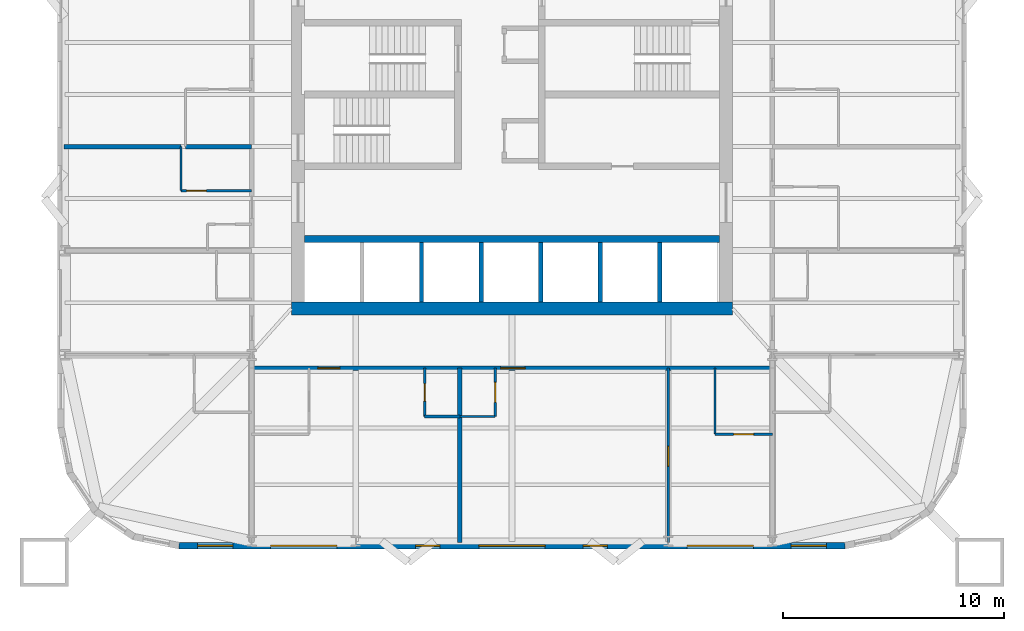
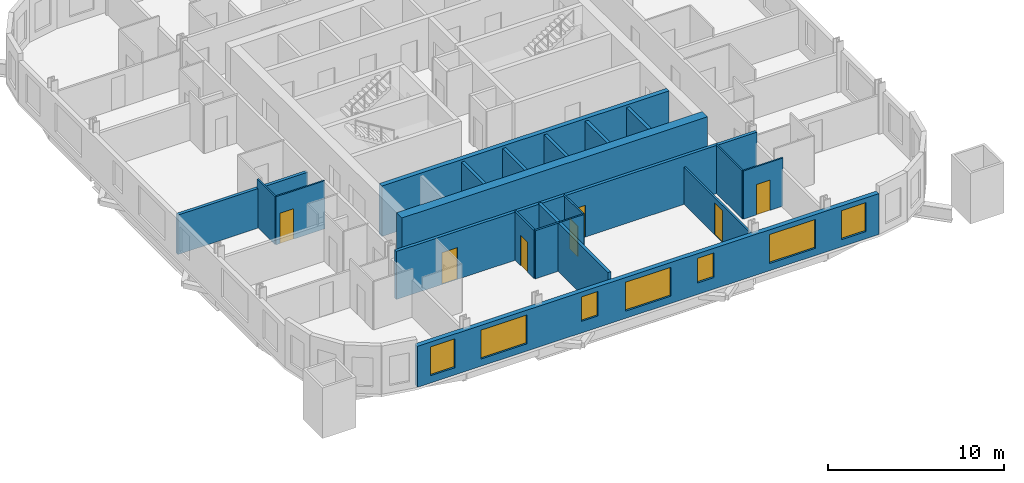
# One storey, part 3 of 9: 21 walls, 7 doors, 7 windows, 14 openings.
"""IFC4 building model written with IfcOpenShell, lengths in metres."""

from ifc_helpers import new_model, si_unit, direction, frame, frame_2d, origin, place, context, subcontext, project, spatial, rectangle, extrude, material, layer, layer_set, type_object, element, fill, save


model = new_model("IFC4")

# Units and contexts
model_context = context("Model", 3, precision=1e-05, world=origin(), true_north=direction((0.0, 1.0)))
body_context = subcontext(model_context, "Body", "Model", "MODEL_VIEW")
ifc_project = project(units=[si_unit("LENGTHUNIT", "METRE"), si_unit("AREAUNIT", "SQUARE_METRE"), si_unit("VOLUMEUNIT", "CUBIC_METRE"), si_unit("PLANEANGLEUNIT", "RADIAN"), si_unit("MASSUNIT", "GRAM", prefix="KILO")], contexts=[model_context])

# Site, building, storey
site_placement = place(None, origin())
site = spatial("IfcSite", under=ifc_project, at=site_placement, CompositionType="ELEMENT")
building_placement = place(site_placement, origin())
building = spatial("IfcBuilding", under=site, at=building_placement, Name="Turquesa Mirador Hotel Tower", CompositionType="ELEMENT")
storey_placement = place(building_placement, frame((0.0, 0.0, 131.89990234375)))
storey = spatial("IfcBuildingStorey", under=building, at=storey_placement, Name="L35", CompositionType="ELEMENT", Elevation=131.89990234375)

# Wall
ifc_material_1 = material(Name="Gypsum board on steel studs", Category="steel")
ifc_layer_1 = layer(ifc_material_1, 0.10009765625)
ifc_layer_set_1 = layer_set([ifc_layer_1], Name="BATHROOM WALL 100")
wall_type_1 = type_object("IfcWallType", Name="BATHROOM WALL 100", PredefinedType="PARTITIONING", material=ifc_layer_set_1)
wall_1_placement = place(storey_placement, frame((52.639892578125, 30.39990234375, 0.0), z_axis=(0.0, 0.0, 1.0), x_axis=(1.0, 0.0, 0.0)))
element("IfcWall", 1, at=wall_1_placement, inside=storey, type_object=wall_type_1, Name="Partition L35 008", PredefinedType="PARTITIONING", context=body_context, shape_type="SweptSolid", body=[
    extrude(rectangle(XDim=1.60009765625, YDim=0.10009765625, at=frame_2d((0.800048828125, 0.0))), origin(), (0.0, 0.0, 1.0), 3.330078125),
])

# Wall, opening, door
wall_2_placement = place(storey_placement, frame((64.199951171875, 29.60009765625, 0.0), z_axis=(0.0, 0.0, 1.0), x_axis=(1.0, 0.0, 0.0)))
wall_2 = element("IfcWall", 2, at=wall_2_placement, inside=storey, type_object=wall_type_1, Name="Partition L35 011", PredefinedType="PARTITIONING", context=body_context, shape_type="SweptSolid", body=[
    extrude(rectangle(XDim=2.60009765625, YDim=0.10009765625, at=frame_2d((1.300048828125, 0.0))), origin(), (0.0, 0.0, 1.0), 3.330078125),
])
opening_1_placement = place(wall_2_placement, frame((0.85009765625, 0.0, 0.0)))
opening_1 = element("IfcOpeningElement", 3, at=opening_1_placement, cuts=wall_2, Name="Opening D02", PredefinedType="OPENING", context=body_context, shape_type="SweptSolid", body=[
    extrude(rectangle(XDim=0.89990234375, YDim=2.10009765625, at=frame_2d((0.449951171875, 1.050048828125))), frame((0.0, 0.06005859375, 0.0), z_axis=(0.0, -1.0, 0.0), x_axis=(1.0, 0.0, 0.0)), (0.0, 0.0, 1.0), 0.1201171875),
])
ifc_material_2 = material(Name="Timber veneered door", Category="wood")
door_type_1 = type_object("IfcDoorType", Name="DOOR 900X2100 EN-SUITE", OperationType="SINGLE_SWING_RIGHT", PredefinedType="DOOR", material=ifc_material_2)
door_1_placement = place(opening_1_placement, origin())
door_1 = element("IfcDoor", 4, at=door_1_placement, inside=storey, type_object=door_type_1, Name="Door 3506B", OperationType="SINGLE_SWING_RIGHT", OverallHeight=2.10009765625, OverallWidth=0.89990234375, PredefinedType="DOOR", context=body_context, shape_type="SweptSolid", body=[
    extrude(rectangle(XDim=0.89990234375, YDim=2.10009765625, at=frame_2d((0.449951171875, 1.050048828125))), frame((0.0, 0.02490234375, 0.0), z_axis=(0.0, -1.0, 0.0), x_axis=(1.0, 0.0, 0.0)), (0.0, 0.0, 1.0), 0.050048828125),
])
fill(opening_1, door_1)

wall_3_placement = place(storey_placement, frame((40.0, 40.639892578125, 0.0), z_axis=(0.0, 0.0, 1.0), x_axis=(1.0, 0.0, 0.0)))
wall_3 = element("IfcWall", 5, at=wall_3_placement, inside=storey, type_object=wall_type_1, Name="Partition L35 016", PredefinedType="PARTITIONING", context=body_context, shape_type="SweptSolid", body=[
    extrude(rectangle(XDim=3.199951171875, YDim=0.10009765625, at=frame_2d((1.60009765625, 0.0))), origin(), (0.0, 0.0, 1.0), 3.330078125),
])
opening_2_placement = place(wall_3_placement, frame((0.25, 0.0, 0.0)))
opening_2 = element("IfcOpeningElement", 6, at=opening_2_placement, cuts=wall_3, Name="Opening D02", PredefinedType="OPENING", context=body_context, shape_type="SweptSolid", body=[
    extrude(rectangle(XDim=0.89990234375, YDim=2.10009765625, at=frame_2d((0.449951171875, 1.050048828125))), frame((0.0, 0.06005859375, 0.0), z_axis=(0.0, -1.0, 0.0), x_axis=(1.0, 0.0, 0.0)), (0.0, 0.0, 1.0), 0.1201171875),
])
door_2_placement = place(opening_2_placement, origin())
door_2 = element("IfcDoor", 7, at=door_2_placement, inside=storey, type_object=door_type_1, Name="Door 3509B", OperationType="SINGLE_SWING_RIGHT", OverallHeight=2.10009765625, OverallWidth=0.89990234375, PredefinedType="DOOR", context=body_context, shape_type="SweptSolid", body=[
    extrude(rectangle(XDim=0.89990234375, YDim=2.10009765625, at=frame_2d((0.449951171875, 1.050048828125))), frame((0.0, 0.02490234375, 0.0), z_axis=(0.0, -1.0, 0.0), x_axis=(1.0, 0.0, 0.0)), (0.0, 0.0, 1.0), 0.050048828125),
])
fill(opening_2, door_2)

wall_4_placement = place(storey_placement, frame((54.239990234375, 30.39990234375, 0.0), z_axis=(0.0, 0.0, 1.0), x_axis=(0.0, 1.0, 0.0)))
wall_4 = element("IfcWall", 8, at=wall_4_placement, inside=storey, type_object=wall_type_1, Name="Partition L35 043", PredefinedType="PARTITIONING", context=body_context, shape_type="SweptSolid", body=[
    extrude(rectangle(XDim=2.2001953125, YDim=0.10009765625, at=frame_2d((1.10009765625, 0.0))), origin(), (0.0, 0.0, 1.0), 3.330078125),
])
opening_3_placement = place(wall_4_placement, frame((0.64990234375, 0.0, 0.0)))
opening_3 = element("IfcOpeningElement", 9, at=opening_3_placement, cuts=wall_4, Name="Opening D06", PredefinedType="OPENING", context=body_context, shape_type="SweptSolid", body=[
    extrude(rectangle(XDim=0.89990234375, YDim=2.10009765625, at=frame_2d((0.449951171875, 1.050048828125))), frame((0.0, 0.06005859375, 0.0), z_axis=(0.0, -1.0, 0.0), x_axis=(1.0, 0.0, 0.0)), (0.0, 0.0, 1.0), 0.1201171875),
])
ifc_material_3 = material(Name="Laminate door", Category="wood")
door_type_2 = type_object("IfcDoorType", Name="DOOR 900X2100 WC", OperationType="SINGLE_SWING_LEFT", PredefinedType="DOOR", material=ifc_material_3)
door_3_placement = place(opening_3_placement, origin())
door_3 = element("IfcDoor", 10, at=door_3_placement, inside=storey, type_object=door_type_2, Name="Door 3506W", OperationType="SINGLE_SWING_LEFT", OverallHeight=2.10009765625, OverallWidth=0.89990234375, PredefinedType="DOOR", context=body_context, shape_type="SweptSolid", body=[
    extrude(rectangle(XDim=0.89990234375, YDim=2.10009765625, at=frame_2d((0.449951171875, 1.050048828125))), frame((0.0, 0.02490234375, 0.0), z_axis=(0.0, -1.0, 0.0), x_axis=(1.0, 0.0, 0.0)), (0.0, 0.0, 1.0), 0.050048828125),
])
fill(opening_3, door_3)

# Walls
wall_5_placement = place(storey_placement, frame((40.0, 40.639892578125, 0.0), z_axis=(0.0, 0.0, 1.0), x_axis=(0.0, 1.0, 0.0)))
element("IfcWall", 11, at=wall_5_placement, inside=storey, type_object=wall_type_1, Name="Partition L35 054", PredefinedType="PARTITIONING", context=body_context, shape_type="SweptSolid", body=[
    extrude(rectangle(XDim=2.0, YDim=0.10009765625, at=frame_2d((1.0, 0.0))), origin(), (0.0, 0.0, 1.0), 3.330078125),
])
wall_6_placement = place(storey_placement, frame((64.199951171875, 29.60009765625, 0.0), z_axis=(0.0, 0.0, 1.0), x_axis=(0.0, 1.0, 0.0)))
element("IfcWall", 12, at=wall_6_placement, inside=storey, type_object=wall_type_1, Name="Partition L35 079", PredefinedType="PARTITIONING", context=body_context, shape_type="SweptSolid", body=[
    extrude(rectangle(XDim=3.0, YDim=0.10009765625, at=frame_2d((1.5, 0.0))), origin(), (0.0, 0.0, 1.0), 3.330078125),
])
ifc_material_4 = material(Name="Concrete C50/60", Category="concrete")
ifc_layer_2 = layer(ifc_material_4, 0.300048828125)
ifc_layer_set_2 = layer_set([ifc_layer_2], Name="CORE INNER WALL 300")
wall_type_2 = type_object("IfcWallType", Name="CORE INNER WALL 300", PredefinedType="SHEAR", material=ifc_layer_set_2)
wall_7_placement = place(storey_placement, frame((45.60009765625, 38.449951171875, 0.0), z_axis=(0.0, 0.0, 1.0), x_axis=(1.0, 0.0, 0.0)))
element("IfcWall", 13, at=wall_7_placement, inside=storey, type_object=wall_type_2, Name="Core wall SL", PredefinedType="SHEAR", context=body_context, shape_type="SweptSolid", body=[
    extrude(rectangle(XDim=18.7998046875, YDim=0.300048828125, at=frame_2d((9.39990234375, 0.0))), origin(), (0.0, 0.0, 1.0), 3.5),
])
ifc_material_5 = material(Name="Concrete C50/60", Category="concrete")
ifc_layer_3 = layer(ifc_material_5, 0.60009765625)
ifc_layer_set_3 = layer_set([ifc_layer_3], Name="CORE WALL 600")
wall_type_3 = type_object("IfcWallType", Name="CORE WALL 600", PredefinedType="SHEAR", material=ifc_layer_set_3)
wall_8_placement = place(storey_placement, frame((45.0, 35.300048828125, 0.0), z_axis=(0.0, 0.0, 1.0), x_axis=(1.0, 0.0, 0.0)))
element("IfcWall", 14, at=wall_8_placement, inside=storey, type_object=wall_type_3, Name="Core wall S", PredefinedType="SHEAR", context=body_context, shape_type="SweptSolid", body=[
    extrude(rectangle(XDim=20.0, YDim=0.60009765625, at=frame_2d((10.0, 0.0))), origin(), (0.0, 0.0, 1.0), 3.5),
])

# Wall, openings, doors
ifc_material_6 = material(Name="Fire-rated gypsum board on steel studs", Category="steel")
ifc_layer_4 = layer(ifc_material_6, 0.199951171875)
ifc_layer_set_4 = layer_set([ifc_layer_4], Name="CORRIDOR WALL 200")
wall_type_4 = type_object("IfcWallType", Name="CORRIDOR WALL 200", PredefinedType="PARTITIONING", material=ifc_layer_set_4)
wall_9_placement = place(storey_placement, frame((43.199951171875, 32.60009765625, 0.0), z_axis=(0.0, 0.0, 1.0), x_axis=(1.0, 0.0, 0.0)))
wall_9 = element("IfcWall", 15, at=wall_9_placement, inside=storey, type_object=wall_type_4, Name="Partition L35 005", PredefinedType="PARTITIONING", context=body_context, shape_type="SweptSolid", body=[
    extrude(rectangle(XDim=23.60009765625, YDim=0.199951171875, at=frame_2d((11.800048828125, 0.0))), origin(), (0.0, 0.0, 1.0), 3.330078125),
])
opening_4_placement = place(wall_9_placement, frame((3.0, 0.0, 0.0)))
opening_4 = element("IfcOpeningElement", 16, at=opening_4_placement, cuts=wall_9, Name="Opening D01", PredefinedType="OPENING", context=body_context, shape_type="SweptSolid", body=[
    extrude(rectangle(XDim=1.0, YDim=2.199951171875, at=frame_2d((0.5, 1.10009765625))), frame((0.0, 0.10986328125, 0.0), z_axis=(0.0, -1.0, 0.0), x_axis=(1.0, 0.0, 0.0)), (0.0, 0.0, 1.0), 0.219970703125),
])
opening_5_placement = place(wall_9_placement, frame((11.2900390625, 0.0, 0.0)))
opening_5 = element("IfcOpeningElement", 17, at=opening_5_placement, cuts=wall_9, Name="Opening D15", PredefinedType="OPENING", context=body_context, shape_type="SweptSolid", body=[
    extrude(rectangle(XDim=1.10009765625, YDim=2.199951171875, at=frame_2d((0.550048828125, 1.10009765625))), frame((0.0, 0.10986328125, 0.0), z_axis=(0.0, -1.0, 0.0), x_axis=(1.0, 0.0, 0.0)), (0.0, 0.0, 1.0), 0.219970703125),
])
ifc_material_7 = material(Name="Timber veneered fire door", Category="wood")
door_type_3 = type_object("IfcDoorType", Name="DOOR 1000X2200 GUEST ENTRY", OperationType="SINGLE_SWING_LEFT", PredefinedType="DOOR", material=ifc_material_7)
door_4_placement = place(opening_4_placement, origin())
door_4 = element("IfcDoor", 18, at=door_4_placement, inside=storey, type_object=door_type_3, Name="Door 3505", OperationType="SINGLE_SWING_LEFT", OverallHeight=2.199951171875, OverallWidth=1.0, PredefinedType="DOOR", context=body_context, shape_type="SweptSolid", body=[
    extrude(rectangle(XDim=1.0, YDim=2.199951171875, at=frame_2d((0.5, 1.10009765625))), frame((0.0, 0.02490234375, 0.0), z_axis=(0.0, -1.0, 0.0), x_axis=(1.0, 0.0, 0.0)), (0.0, 0.0, 1.0), 0.050048828125),
])
fill(opening_4, door_4)
ifc_material_8 = material(Name="Timber veneered fire door", Category="wood")
door_type_4 = type_object("IfcDoorType", Name="DOOR 1100X2200 SUITE ENTRY", OperationType="SINGLE_SWING_LEFT", PredefinedType="DOOR", material=ifc_material_8)
door_5_placement = place(opening_5_placement, origin())
door_5 = element("IfcDoor", 19, at=door_5_placement, inside=storey, type_object=door_type_4, Name="Door 3506", OperationType="SINGLE_SWING_LEFT", OverallHeight=2.199951171875, OverallWidth=1.10009765625, PredefinedType="DOOR", context=body_context, shape_type="SweptSolid", body=[
    extrude(rectangle(XDim=1.10009765625, YDim=2.199951171875, at=frame_2d((0.550048828125, 1.10009765625))), frame((0.0, 0.02490234375, 0.0), z_axis=(0.0, -1.0, 0.0), x_axis=(1.0, 0.0, 0.0)), (0.0, 0.0, 1.0), 0.050048828125),
])
fill(opening_5, door_5)

# Wall, openings, windows
ifc_material_9 = material(Name="Limestone cladding on concrete block", Category="masonry")
ifc_layer_5 = layer(ifc_material_9, 0.300048828125)
ifc_layer_set_5 = layer_set([ifc_layer_5], Name="FACADE WALL 300 STONE SCREEN")
wall_type_5 = type_object("IfcWallType", Name="FACADE WALL 300 STONE SCREEN", PredefinedType="SOLIDWALL", material=ifc_layer_set_5)
wall_10_placement = place(storey_placement, frame((39.89990234375, 24.550048828125, 0.0), z_axis=(0.0, 0.0, 1.0), x_axis=(1.0, 0.0, 0.0)))
wall_10 = element("IfcWall", 20, at=wall_10_placement, inside=storey, type_object=wall_type_5, Name="Facade wall L35 19", PredefinedType="SOLIDWALL", context=body_context, shape_type="SweptSolid", body=[
    extrude(rectangle(XDim=30.2001953125, YDim=0.300048828125, at=frame_2d((15.10009765625, 0.0))), origin(), (0.0, 0.0, 1.0), 2.830078125),
])
opening_6_placement = place(wall_10_placement, frame((0.85009765625, 0.0, 0.5)))
opening_6 = element("IfcOpeningElement", 21, at=opening_6_placement, cuts=wall_10, Name="Opening WN3", PredefinedType="OPENING", context=body_context, shape_type="SweptSolid", body=[
    extrude(rectangle(XDim=1.60009765625, YDim=2.0, at=frame_2d((0.800048828125, 1.0))), frame((0.0, 0.159912109375, 0.0), z_axis=(0.0, -1.0, 0.0), x_axis=(1.0, 0.0, 0.0)), (0.0, 0.0, 1.0), 0.320068359375),
])
opening_7_placement = place(wall_10_placement, frame((4.159912109375, 0.0, 0.5)))
opening_7 = element("IfcOpeningElement", 22, at=opening_7_placement, cuts=wall_10, Name="Opening WN1", PredefinedType="OPENING", context=body_context, shape_type="SweptSolid", body=[
    extrude(rectangle(XDim=3.0, YDim=2.0, at=frame_2d((1.5, 1.0))), frame((0.0, 0.159912109375, 0.0), z_axis=(0.0, -1.0, 0.0), x_axis=(1.0, 0.0, 0.0)), (0.0, 0.0, 1.0), 0.320068359375),
])
opening_8_placement = place(wall_10_placement, frame((10.72998046875, 0.0, 0.800048828125)))
opening_8 = element("IfcOpeningElement", 23, at=opening_8_placement, cuts=wall_10, Name="Opening WN26", PredefinedType="OPENING", context=body_context, shape_type="SweptSolid", body=[
    extrude(rectangle(XDim=1.10009765625, YDim=1.699951171875, at=frame_2d((0.550048828125, 0.85009765625))), frame((0.0, 0.159912109375, 0.0), z_axis=(0.0, -1.0, 0.0), x_axis=(1.0, 0.0, 0.0)), (0.0, 0.0, 1.0), 0.320068359375),
])
opening_9_placement = place(wall_10_placement, frame((13.60009765625, 0.0, 0.5)))
opening_9 = element("IfcOpeningElement", 24, at=opening_9_placement, cuts=wall_10, Name="Opening WN1", PredefinedType="OPENING", context=body_context, shape_type="SweptSolid", body=[
    extrude(rectangle(XDim=3.0, YDim=2.0, at=frame_2d((1.5, 1.0))), frame((0.0, 0.159912109375, 0.0), z_axis=(0.0, -1.0, 0.0), x_axis=(1.0, 0.0, 0.0)), (0.0, 0.0, 1.0), 0.320068359375),
])
opening_10_placement = place(wall_10_placement, frame((18.320068359375, 0.0, 0.800048828125)))
opening_10 = element("IfcOpeningElement", 25, at=opening_10_placement, cuts=wall_10, Name="Opening WN26", PredefinedType="OPENING", context=body_context, shape_type="SweptSolid", body=[
    extrude(rectangle(XDim=1.10009765625, YDim=1.699951171875, at=frame_2d((0.550048828125, 0.85009765625))), frame((0.0, 0.159912109375, 0.0), z_axis=(0.0, -1.0, 0.0), x_axis=(1.0, 0.0, 0.0)), (0.0, 0.0, 1.0), 0.320068359375),
])
opening_11_placement = place(wall_10_placement, frame((23.0400390625, 0.0, 0.5)))
opening_11 = element("IfcOpeningElement", 26, at=opening_11_placement, cuts=wall_10, Name="Opening WN1", PredefinedType="OPENING", context=body_context, shape_type="SweptSolid", body=[
    extrude(rectangle(XDim=3.0, YDim=2.0, at=frame_2d((1.5, 1.0))), frame((0.0, 0.159912109375, 0.0), z_axis=(0.0, -1.0, 0.0), x_axis=(1.0, 0.0, 0.0)), (0.0, 0.0, 1.0), 0.320068359375),
])
opening_12_placement = place(wall_10_placement, frame((27.75, 0.0, 0.5)))
opening_12 = element("IfcOpeningElement", 27, at=opening_12_placement, cuts=wall_10, Name="Opening WN3", PredefinedType="OPENING", context=body_context, shape_type="SweptSolid", body=[
    extrude(rectangle(XDim=1.60009765625, YDim=2.0, at=frame_2d((0.800048828125, 1.0))), frame((0.0, 0.159912109375, 0.0), z_axis=(0.0, -1.0, 0.0), x_axis=(1.0, 0.0, 0.0)), (0.0, 0.0, 1.0), 0.320068359375),
])
ifc_material_10 = material(Name="Ceramic-fritted laminated glass", Category="glass")
window_type_1 = type_object("IfcWindowType", Name="FRITTED WINDOW 1100X1700", PartitioningType="DOUBLE_PANEL_HORIZONTAL", PredefinedType="WINDOW", material=ifc_material_10)
window_1_placement = place(opening_8_placement, origin())
window_1 = element("IfcWindow", 28, at=window_1_placement, inside=storey, type_object=window_type_1, Name="Window L35", OverallHeight=1.699951171875, OverallWidth=1.10009765625, PartitioningType="SINGLE_PANEL", PredefinedType="WINDOW", context=body_context, shape_type="SweptSolid", body=[
    extrude(rectangle(XDim=1.10009765625, YDim=1.699951171875, at=frame_2d((0.550048828125, 0.85009765625))), frame((0.0, 0.030029296875, 0.0), z_axis=(0.0, -1.0, 0.0), x_axis=(1.0, 0.0, 0.0)), (0.0, 0.0, 1.0), 0.06005859375),
])
fill(opening_8, window_1)
window_2_placement = place(opening_10_placement, origin())
window_2 = element("IfcWindow", 29, at=window_2_placement, inside=storey, type_object=window_type_1, Name="Window L35", OverallHeight=1.699951171875, OverallWidth=1.10009765625, PartitioningType="SINGLE_PANEL", PredefinedType="WINDOW", context=body_context, shape_type="SweptSolid", body=[
    extrude(rectangle(XDim=1.10009765625, YDim=1.699951171875, at=frame_2d((0.550048828125, 0.85009765625))), frame((0.0, 0.030029296875, 0.0), z_axis=(0.0, -1.0, 0.0), x_axis=(1.0, 0.0, 0.0)), (0.0, 0.0, 1.0), 0.06005859375),
])
fill(opening_10, window_2)
ifc_material_11 = material(Name="Ceramic-fritted laminated glass", Category="glass")
window_type_2 = type_object("IfcWindowType", Name="FRITTED WINDOW 1600X2000", PartitioningType="DOUBLE_PANEL_HORIZONTAL", PredefinedType="WINDOW", material=ifc_material_11)
window_3_placement = place(opening_6_placement, origin())
window_3 = element("IfcWindow", 30, at=window_3_placement, inside=storey, type_object=window_type_2, Name="Window L35", OverallHeight=2.0, OverallWidth=1.60009765625, PartitioningType="SINGLE_PANEL", PredefinedType="WINDOW", context=body_context, shape_type="SweptSolid", body=[
    extrude(rectangle(XDim=1.60009765625, YDim=2.0, at=frame_2d((0.800048828125, 1.0))), frame((0.0, 0.030029296875, 0.0), z_axis=(0.0, -1.0, 0.0), x_axis=(1.0, 0.0, 0.0)), (0.0, 0.0, 1.0), 0.06005859375),
])
fill(opening_6, window_3)
window_4_placement = place(opening_12_placement, origin())
window_4 = element("IfcWindow", 31, at=window_4_placement, inside=storey, type_object=window_type_2, Name="Window L35", OverallHeight=2.0, OverallWidth=1.60009765625, PartitioningType="SINGLE_PANEL", PredefinedType="WINDOW", context=body_context, shape_type="SweptSolid", body=[
    extrude(rectangle(XDim=1.60009765625, YDim=2.0, at=frame_2d((0.800048828125, 1.0))), frame((0.0, 0.030029296875, 0.0), z_axis=(0.0, -1.0, 0.0), x_axis=(1.0, 0.0, 0.0)), (0.0, 0.0, 1.0), 0.06005859375),
])
fill(opening_12, window_4)
ifc_material_12 = material(Name="Ceramic-fritted laminated glass", Category="glass")
window_type_3 = type_object("IfcWindowType", Name="FRITTED WINDOW 3000X2000", PartitioningType="DOUBLE_PANEL_HORIZONTAL", PredefinedType="WINDOW", material=ifc_material_12)
window_5_placement = place(opening_7_placement, origin())
window_5 = element("IfcWindow", 32, at=window_5_placement, inside=storey, type_object=window_type_3, Name="Window L35", OverallHeight=2.0, OverallWidth=3.0, PartitioningType="SINGLE_PANEL", PredefinedType="WINDOW", context=body_context, shape_type="SweptSolid", body=[
    extrude(rectangle(XDim=3.0, YDim=2.0, at=frame_2d((1.5, 1.0))), frame((0.0, 0.030029296875, 0.0), z_axis=(0.0, -1.0, 0.0), x_axis=(1.0, 0.0, 0.0)), (0.0, 0.0, 1.0), 0.06005859375),
])
fill(opening_7, window_5)
window_6_placement = place(opening_9_placement, origin())
window_6 = element("IfcWindow", 33, at=window_6_placement, inside=storey, type_object=window_type_3, Name="Window L35", OverallHeight=2.0, OverallWidth=3.0, PartitioningType="SINGLE_PANEL", PredefinedType="WINDOW", context=body_context, shape_type="SweptSolid", body=[
    extrude(rectangle(XDim=3.0, YDim=2.0, at=frame_2d((1.5, 1.0))), frame((0.0, 0.030029296875, 0.0), z_axis=(0.0, -1.0, 0.0), x_axis=(1.0, 0.0, 0.0)), (0.0, 0.0, 1.0), 0.06005859375),
])
fill(opening_9, window_6)
window_7_placement = place(opening_11_placement, origin())
window_7 = element("IfcWindow", 34, at=window_7_placement, inside=storey, type_object=window_type_3, Name="Window L35", OverallHeight=2.0, OverallWidth=3.0, PartitioningType="SINGLE_PANEL", PredefinedType="WINDOW", context=body_context, shape_type="SweptSolid", body=[
    extrude(rectangle(XDim=3.0, YDim=2.0, at=frame_2d((1.5, 1.0))), frame((0.0, 0.030029296875, 0.0), z_axis=(0.0, -1.0, 0.0), x_axis=(1.0, 0.0, 0.0)), (0.0, 0.0, 1.0), 0.06005859375),
])
fill(opening_11, window_7)

# Walls
ifc_material_13 = material(Name="Fire-rated gypsum shaft wall on steel studs", Category="steel")
ifc_layer_6 = layer(ifc_material_13, 0.199951171875)
ifc_layer_set_6 = layer_set([ifc_layer_6], Name="LIFT SHAFT DIVIDER 200")
wall_type_6 = type_object("IfcWallType", Name="LIFT SHAFT DIVIDER 200", PredefinedType="PARTITIONING", material=ifc_layer_set_6)
for number, where, z_axis, x_axis, name in (
    (35, (50.89990234375, 35.60009765625, 0.0), (0.0, 0.0, 1.0), (0.0, 1.0, 0.0), "Lift shaft divider"),
    (36, (53.60009765625, 35.60009765625, 0.0), (0.0, 0.0, 1.0), (0.0, 1.0, 0.0), "Lift shaft divider"),
    (37, (56.300048828125, 35.60009765625, 0.0), (0.0, 0.0, 1.0), (0.0, 1.0, 0.0), "Lift shaft divider"),
    (38, (59.0, 35.60009765625, 0.0), (0.0, 0.0, 1.0), (0.0, 1.0, 0.0), "Lift shaft divider"),
    (39, (61.699951171875, 35.60009765625, 0.0), (0.0, 0.0, 1.0), (0.0, 1.0, 0.0), "Lift shaft divider"),
):
    element("IfcWall", number, at=place(storey_placement, frame(where, z_axis=z_axis, x_axis=x_axis)), inside=storey, type_object=wall_type_6, Name=name, PredefinedType="PARTITIONING", context=body_context, shape_type="SweptSolid", body=[
        extrude(rectangle(XDim=2.699951171875, YDim=0.199951171875, at=frame_2d((1.35009765625, 0.0))), origin(), (0.0, 0.0, 1.0), 3.330078125),
    ])
ifc_material_14 = material(Name="Fire-rated gypsum board on steel studs", Category="steel")
ifc_layer_7 = layer(ifc_material_14, 0.199951171875)
ifc_layer_set_7 = layer_set([ifc_layer_7], Name="PARTY WALL 200")
wall_type_7 = type_object("IfcWallType", Name="PARTY WALL 200", PredefinedType="PARTITIONING", material=ifc_layer_set_7)
wall_11_placement = place(storey_placement, frame((34.699951171875, 42.639892578125, 0.0), z_axis=(0.0, 0.0, 1.0), x_axis=(1.0, 0.0, 0.0)))
element("IfcWall", 40, at=wall_11_placement, inside=storey, type_object=wall_type_7, Name="Partition L35 012", PredefinedType="PARTITIONING", context=body_context, shape_type="SweptSolid", body=[
    extrude(rectangle(XDim=5.300048828125, YDim=0.199951171875, at=frame_2d((2.64990234375, 0.0))), origin(), (0.0, 0.0, 1.0), 2.730712890625),
])
wall_12_placement = place(storey_placement, frame((40.199951171875, 42.639892578125, 0.0), z_axis=(0.0, 0.0, 1.0), x_axis=(1.0, 0.0, 0.0)))
element("IfcWall", 41, at=wall_12_placement, inside=storey, type_object=wall_type_7, Name="Partition L35 013", PredefinedType="PARTITIONING", context=body_context, shape_type="SweptSolid", body=[
    extrude(rectangle(XDim=3.0, YDim=0.199951171875, at=frame_2d((1.5, 0.0))), origin(), (0.0, 0.0, 1.0), 2.730712890625),
])
wall_13_placement = place(storey_placement, frame((52.639892578125, 24.699951171875, 0.0), z_axis=(0.0, 0.0, 1.0), x_axis=(0.0, 1.0, 0.0)))
element("IfcWall", 42, at=wall_13_placement, inside=storey, type_object=wall_type_7, Name="Partition L35 055", PredefinedType="PARTITIONING", context=body_context, shape_type="SweptSolid", body=[
    extrude(rectangle(XDim=7.900146484375, YDim=0.199951171875, at=frame_2d((3.9501953125, 0.0))), origin(), (0.0, 0.0, 1.0), 3.330078125),
])
ifc_material_15 = material(Name="Acoustic gypsum board on steel studs", Category="steel")
ifc_layer_8 = layer(ifc_material_15, 0.125)
ifc_layer_set_8 = layer_set([ifc_layer_8], Name="SUITE PARTITION 125")
wall_type_8 = type_object("IfcWallType", Name="SUITE PARTITION 125", PredefinedType="PARTITIONING", material=ifc_layer_set_8)
wall_14_placement = place(storey_placement, frame((51.0400390625, 30.39990234375, 0.0), z_axis=(0.0, 0.0, 1.0), x_axis=(1.0, 0.0, 0.0)))
element("IfcWall", 43, at=wall_14_placement, inside=storey, type_object=wall_type_8, Name="Partition L35 009", PredefinedType="PARTITIONING", context=body_context, shape_type="SweptSolid", body=[
    extrude(rectangle(XDim=1.599853515625, YDim=0.125, at=frame_2d((0.7998046875, 0.0))), origin(), (0.0, 0.0, 1.0), 3.330078125),
])

# Wall, opening, door
wall_15_placement = place(storey_placement, frame((51.0400390625, 30.39990234375, 0.0), z_axis=(0.0, 0.0, 1.0), x_axis=(0.0, 1.0, 0.0)))
wall_15 = element("IfcWall", 44, at=wall_15_placement, inside=storey, type_object=wall_type_8, Name="Partition L35 058", PredefinedType="PARTITIONING", context=body_context, shape_type="SweptSolid", body=[
    extrude(rectangle(XDim=2.2001953125, YDim=0.125, at=frame_2d((1.10009765625, 0.0))), origin(), (0.0, 0.0, 1.0), 3.330078125),
])
opening_13_placement = place(wall_15_placement, frame((0.699951171875, 0.0, 0.0)))
opening_13 = element("IfcOpeningElement", 45, at=opening_13_placement, cuts=wall_15, Name="Opening D20", PredefinedType="OPENING", context=body_context, shape_type="SweptSolid", body=[
    extrude(rectangle(XDim=0.800048828125, YDim=2.10009765625, at=frame_2d((0.39990234375, 1.050048828125))), frame((0.0, 0.072509765625, 0.0), z_axis=(0.0, -1.0, 0.0), x_axis=(1.0, 0.0, 0.0)), (0.0, 0.0, 1.0), 0.14501953125),
])
ifc_material_16 = material(Name="Timber veneered sliding door", Category="wood")
door_type_5 = type_object("IfcDoorType", Name="DOOR 800X2100 WARDROBE", OperationType="SLIDING_TO_LEFT", PredefinedType="DOOR", material=ifc_material_16)
door_6_placement = place(opening_13_placement, origin())
door_6 = element("IfcDoor", 46, at=door_6_placement, inside=storey, type_object=door_type_5, Name="Door 3505W", OperationType="SLIDING_TO_LEFT", OverallHeight=2.10009765625, OverallWidth=0.800048828125, PredefinedType="DOOR", context=body_context, shape_type="SweptSolid", body=[
    extrude(rectangle(XDim=0.800048828125, YDim=2.10009765625, at=frame_2d((0.39990234375, 1.050048828125))), frame((0.0, 0.02490234375, 0.0), z_axis=(0.0, -1.0, 0.0), x_axis=(1.0, 0.0, 0.0)), (0.0, 0.0, 1.0), 0.050048828125),
])
fill(opening_13, door_6)

wall_16_placement = place(storey_placement, frame((62.080078125, 24.699951171875, 0.0), z_axis=(0.0, 0.0, 1.0), x_axis=(0.0, 1.0, 0.0)))
wall_16 = element("IfcWall", 47, at=wall_16_placement, inside=storey, type_object=wall_type_8, Name="Partition L35 077", PredefinedType="PARTITIONING", context=body_context, shape_type="SweptSolid", body=[
    extrude(rectangle(XDim=7.900146484375, YDim=0.125, at=frame_2d((3.9501953125, 0.0))), origin(), (0.0, 0.0, 1.0), 2.5732421875),
])
opening_14_placement = place(wall_16_placement, frame((3.449951171875, 0.0, 0.0)))
opening_14 = element("IfcOpeningElement", 48, at=opening_14_placement, cuts=wall_16, Name="Opening D17", PredefinedType="OPENING", context=body_context, shape_type="SweptSolid", body=[
    extrude(rectangle(XDim=0.89990234375, YDim=2.199951171875, at=frame_2d((0.449951171875, 1.10009765625))), frame((0.0, 0.072509765625, 0.0), z_axis=(0.0, -1.0, 0.0), x_axis=(1.0, 0.0, 0.0)), (0.0, 0.0, 1.0), 0.14501953125),
])
ifc_material_17 = material(Name="Timber veneered door", Category="wood")
door_type_6 = type_object("IfcDoorType", Name="DOOR 900X2200 SUITE INTERNAL", OperationType="SINGLE_SWING_LEFT", PredefinedType="DOOR", material=ifc_material_17)
door_7_placement = place(opening_14_placement, origin())
door_7 = element("IfcDoor", 49, at=door_7_placement, inside=storey, type_object=door_type_6, Name="Door 3506R", OperationType="SINGLE_SWING_LEFT", OverallHeight=2.199951171875, OverallWidth=0.89990234375, PredefinedType="DOOR", context=body_context, shape_type="SweptSolid", body=[
    extrude(rectangle(XDim=0.89990234375, YDim=2.199951171875, at=frame_2d((0.449951171875, 1.10009765625))), frame((0.0, 0.02490234375, 0.0), z_axis=(0.0, -1.0, 0.0), x_axis=(1.0, 0.0, 0.0)), (0.0, 0.0, 1.0), 0.050048828125),
])
fill(opening_14, door_7)

save(model, "model.ifc")
